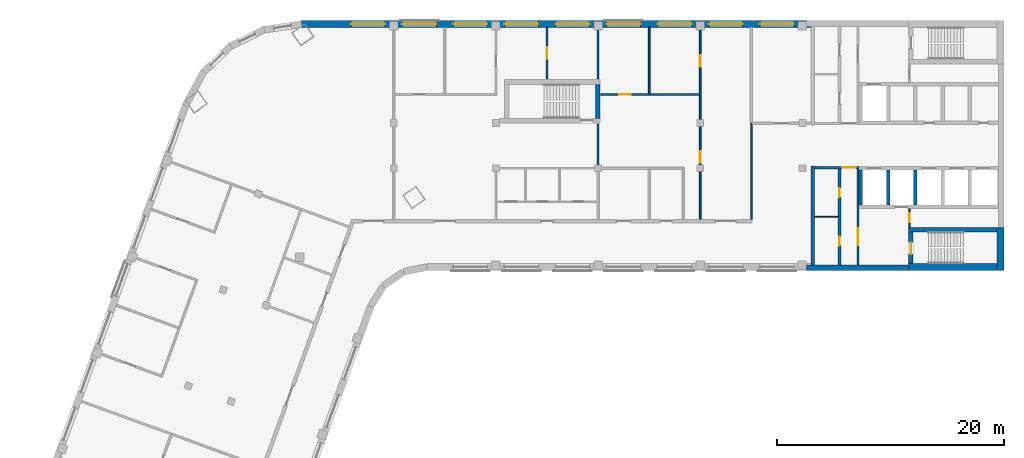
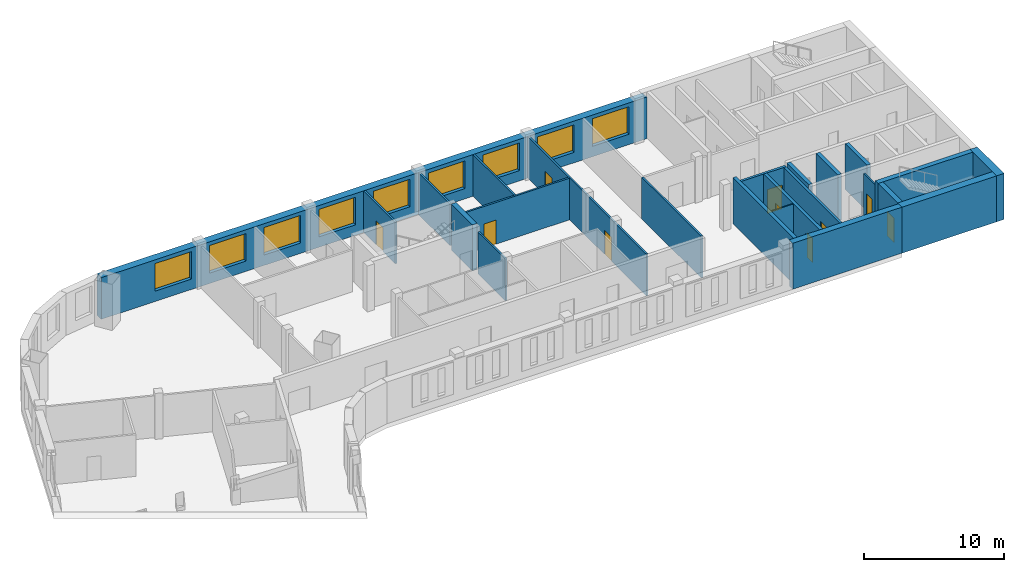
# One storey, part 5 of 8: 23 walls, 10 doors, 9 windows, 19 openings.
"""IFC4 building model written with IfcOpenShell, lengths in metres."""

from ifc_helpers import new_model, si_unit, direction, frame, frame_2d, origin, place, context, subcontext, project, spatial, rectangle, extrude, material, layer, layer_set, type_object, element, fill, save


model = new_model("IFC4")

# Units and contexts
model_context = context("Model", 3, precision=1e-05, world=origin(), true_north=direction((0.0, 1.0)))
body_context = subcontext(model_context, "Body", "Model", "MODEL_VIEW")
ifc_project = project(units=[si_unit("LENGTHUNIT", "METRE"), si_unit("AREAUNIT", "SQUARE_METRE"), si_unit("VOLUMEUNIT", "CUBIC_METRE"), si_unit("PLANEANGLEUNIT", "RADIAN"), si_unit("MASSUNIT", "GRAM", prefix="KILO")], contexts=[model_context])

# Site, building, storey
site_placement = place(None, origin())
site = spatial("IfcSite", under=ifc_project, at=site_placement, CompositionType="ELEMENT")
building_placement = place(site_placement, origin())
building = spatial("IfcBuilding", under=site, at=building_placement, Name="Skarvind Civic Tower", CompositionType="ELEMENT")
storey_placement = place(building_placement, frame((0.0, 0.0, 224.0)))
storey = spatial("IfcBuildingStorey", under=building, at=storey_placement, Name="L53", CompositionType="ELEMENT", Elevation=224.0)

# Wall, opening, door
ifc_material_1 = material(Name="Fire-rated masonry partition", Category="masonry")
ifc_layer_1 = layer(ifc_material_1, 0.199951171875)
ifc_layer_set_1 = layer_set([ifc_layer_1], Name="Core enclosure wall 200")
wall_type_1 = type_object("IfcWallType", Name="Core enclosure wall 200", PredefinedType="PARTITIONING", material=ifc_layer_set_1)
wall_1_placement = place(storey_placement, frame((95.25, 126.050048828125, 0.0), z_axis=(0.0, 0.0, 1.0), x_axis=(-1.0, 0.0, 0.0)))
wall_1 = element("IfcWall", 1, at=wall_1_placement, inside=storey, type_object=wall_type_1, Name="Core wall C1", PredefinedType="PARTITIONING", context=body_context, shape_type="SweptSolid", body=[
    extrude(rectangle(XDim=3.949951171875, YDim=0.199951171875, at=frame_2d((1.97509765625, 0.0))), origin(), (0.0, 0.0, 1.0), 3.625),
])
opening_1_placement = place(wall_1_placement, frame((0.300048828125, 0.0, 0.0)))
opening_1 = element("IfcOpeningElement", 2, at=opening_1_placement, cuts=wall_1, Name="Opening D-L53-C1-07", PredefinedType="OPENING", context=body_context, shape_type="SweptSolid", body=[
    extrude(rectangle(XDim=1.199951171875, YDim=2.10009765625, at=frame_2d((0.60009765625, 1.050048828125))), frame((0.0, 0.10986328125, 0.0), z_axis=(0.0, -1.0, 0.0), x_axis=(1.0, 0.0, 0.0)), (0.0, 0.0, 1.0), 0.219970703125),
])
ifc_material_2 = material(Name="Fire-rated steel door", Category="steel")
door_type_1 = type_object("IfcDoorType", Name="Core lobby door 1200", OperationType="NOTDEFINED", PredefinedType="DOOR", material=ifc_material_2)
door_1_placement = place(opening_1_placement, origin())
door_1 = element("IfcDoor", 3, at=door_1_placement, inside=storey, type_object=door_type_1, Name="Fire door", OperationType="DOUBLE_DOOR_SINGLE_SWING", OverallHeight=2.10009765625, OverallWidth=1.199951171875, PredefinedType="DOOR", context=body_context, shape_type="SweptSolid", body=[
    extrude(rectangle(XDim=1.199951171875, YDim=2.10009765625, at=frame_2d((0.60009765625, 1.050048828125))), frame((0.0, 0.02490234375, 0.0), z_axis=(0.0, -1.0, 0.0), x_axis=(1.0, 0.0, 0.0)), (0.0, 0.0, 1.0), 0.050048828125),
])
fill(opening_1, door_1)

wall_2_placement = place(storey_placement, frame((95.14990234375, 117.5, 0.0), z_axis=(0.0, 0.0, 1.0), x_axis=(0.0, 1.0, 0.0)))
wall_2 = element("IfcWall", 4, at=wall_2_placement, inside=storey, type_object=wall_type_1, Name="Core wall C1", PredefinedType="PARTITIONING", context=body_context, shape_type="SweptSolid", body=[
    extrude(rectangle(XDim=8.449951171875, YDim=0.199951171875, at=frame_2d((4.22509765625, 0.0))), origin(), (0.0, 0.0, 1.0), 3.625),
])
opening_2_placement = place(wall_2_placement, frame((1.72509765625, 0.0, 0.0)))
opening_2 = element("IfcOpeningElement", 5, at=opening_2_placement, cuts=wall_2, Name="Opening D-L53-C1-08", PredefinedType="OPENING", context=body_context, shape_type="SweptSolid", body=[
    extrude(rectangle(XDim=1.5, YDim=2.10009765625, at=frame_2d((0.75, 1.050048828125))), frame((0.0, 0.10986328125, 0.0), z_axis=(0.0, -1.0, 0.0), x_axis=(1.0, 0.0, 0.0)), (0.0, 0.0, 1.0), 0.219970703125),
])
door_type_2 = type_object("IfcDoorType", Name="Fire door 1500", OperationType="NOTDEFINED", PredefinedType="DOOR", material=ifc_material_2)
door_2_placement = place(opening_2_placement, origin())
door_2 = element("IfcDoor", 6, at=door_2_placement, inside=storey, type_object=door_type_2, Name="Fire door", OperationType="DOUBLE_DOOR_SINGLE_SWING", OverallHeight=2.10009765625, OverallWidth=1.5, PredefinedType="DOOR", context=body_context, shape_type="SweptSolid", body=[
    extrude(rectangle(XDim=1.5, YDim=2.10009765625, at=frame_2d((0.75, 1.050048828125))), frame((0.0, 0.02490234375, 0.0), z_axis=(0.0, -1.0, 0.0), x_axis=(1.0, 0.0, 0.0)), (0.0, 0.0, 1.0), 0.050048828125),
])
fill(opening_2, door_2)

# Walls
ifc_material_3 = material(Name="Fire-rated plasterboard partition")
ifc_layer_2 = layer(ifc_material_3, 0.10009765625)
ifc_layer_set_2 = layer_set([ifc_layer_2], Name="Core partition wall 100")
wall_type_2 = type_object("IfcWallType", Name="Core partition wall 100", PredefinedType="PARTITIONING", material=ifc_layer_set_2)
wall_3_placement = place(storey_placement, frame((93.39990234375, 121.719970703125, 0.0), z_axis=(0.0, 0.0, 1.0), x_axis=(-1.0, 0.0, 0.0)))
element("IfcWall", 7, at=wall_3_placement, inside=storey, type_object=wall_type_2, Name="Core wall C1", PredefinedType="PARTITIONING", context=body_context, shape_type="SweptSolid", body=[
    extrude(rectangle(XDim=2.099853515625, YDim=0.10009765625, at=frame_2d((1.0498046875, 0.0))), origin(), (0.0, 0.0, 1.0), 3.625),
])
ifc_material_4 = material(Name="Concrete C60", Category="concrete")
ifc_layer_3 = layer(ifc_material_4, 0.300048828125)
ifc_layer_set_3 = layer_set([ifc_layer_3], Name="Core wall 300 C60")
wall_type_3 = type_object("IfcWallType", Name="Core wall 300 C60", PredefinedType="SHEAR", material=ifc_layer_set_3)
for number, where, z_axis, x_axis, name in (
    (8, (100.199951171875, 125.85009765625, 0.0), (0.0, 0.0, 1.0), (0.0, -1.0, 0.0), "Core wall C1 north lift row division 3 L53"),
    (9, (97.800048828125, 125.85009765625, 0.0), (0.0, 0.0, 1.0), (0.0, -1.0, 0.0), "Core wall C1 north lift row division 4 L53"),
    (10, (95.39990234375, 125.85009765625, 0.0), (0.0, 0.0, 1.0), (0.0, -1.0, 0.0), "Core wall C1 north lift row division 5 L53"),
):
    element("IfcWall", number, at=place(storey_placement, frame(where, z_axis=z_axis, x_axis=x_axis)), inside=storey, type_object=wall_type_3, Name=name, PredefinedType="SHEAR", context=body_context, shape_type="SweptSolid", body=[
        extrude(rectangle(XDim=3.10009765625, YDim=0.300048828125, at=frame_2d((1.550048828125, 0.0))), origin(), (0.0, 0.0, 1.0), 4.0),
    ])
wall_4_placement = place(storey_placement, frame((91.14990234375, 126.199951171875, 0.0), z_axis=(0.0, 0.0, 1.0), x_axis=(0.0, -1.0, 0.0)))
element("IfcWall", 11, at=wall_4_placement, inside=storey, type_object=wall_type_3, Name="Core wall C1 north inner face L53", PredefinedType="SHEAR", context=body_context, shape_type="SweptSolid", body=[
    extrude(rectangle(XDim=8.699951171875, YDim=0.300048828125, at=frame_2d((4.35009765625, 0.0))), origin(), (0.0, 0.0, 1.0), 4.0),
])
ifc_layer_4 = layer(ifc_material_4, 0.39990234375)
ifc_layer_set_4 = layer_set([ifc_layer_4], Name="Core wall 400 C60")
wall_type_4 = type_object("IfcWallType", Name="Core wall 400 C60", PredefinedType="SHEAR", material=ifc_layer_set_4)
wall_5_placement = place(storey_placement, frame((107.39990234375, 120.60009765625, 0.0), z_axis=(0.0, 0.0, 1.0), x_axis=(-1.0, 0.0, 0.0)))
element("IfcWall", 12, at=wall_5_placement, inside=storey, type_object=wall_type_4, Name="Core wall C1 north stair inner L53", PredefinedType="SHEAR", context=body_context, shape_type="SweptSolid", body=[
    extrude(rectangle(XDim=7.7998046875, YDim=0.39990234375, at=frame_2d((3.89990234375, 0.0))), origin(), (0.0, 0.0, 1.0), 4.0),
])

# Wall, opening, door
wall_6_placement = place(storey_placement, frame((99.800048828125, 120.39990234375, 0.0), z_axis=(0.0, 0.0, 1.0), x_axis=(0.0, -1.0, 0.0)))
wall_6 = element("IfcWall", 13, at=wall_6_placement, inside=storey, type_object=wall_type_4, Name="Core wall C1 north stair end L53", PredefinedType="SHEAR", context=body_context, shape_type="SweptSolid", body=[
    extrude(rectangle(XDim=2.7998046875, YDim=0.39990234375, at=frame_2d((1.39990234375, 0.0))), origin(), (0.0, 0.0, 1.0), 4.0),
])
opening_3_placement = place(wall_6_placement, frame((0.949951171875, 0.0, 0.0)))
opening_3 = element("IfcOpeningElement", 14, at=opening_3_placement, cuts=wall_6, Name="Opening D-L53-C1-09", PredefinedType="OPENING", context=body_context, shape_type="SweptSolid", body=[
    extrude(rectangle(XDim=1.0, YDim=2.10009765625, at=frame_2d((0.5, 1.050048828125))), frame((0.0, 0.2099609375, 0.0), z_axis=(0.0, -1.0, 0.0), x_axis=(1.0, 0.0, 0.0)), (0.0, 0.0, 1.0), 0.419921875),
])
door_type_3 = type_object("IfcDoorType", Name="Fire door 1000", OperationType="NOTDEFINED", PredefinedType="DOOR", material=ifc_material_2)
door_3_placement = place(opening_3_placement, origin())
door_3 = element("IfcDoor", 15, at=door_3_placement, inside=storey, type_object=door_type_3, Name="Fire door", OperationType="SINGLE_SWING_LEFT", OverallHeight=2.10009765625, OverallWidth=1.0, PredefinedType="DOOR", context=body_context, shape_type="SweptSolid", body=[
    extrude(rectangle(XDim=1.0, YDim=2.10009765625, at=frame_2d((0.5, 1.050048828125))), frame((0.0, 0.02490234375, 0.0), z_axis=(0.0, -1.0, 0.0), x_axis=(1.0, 0.0, 0.0)), (0.0, 0.0, 1.0), 0.050048828125),
])
fill(opening_3, door_3)

# Walls
wall_7_placement = place(storey_placement, frame((72.199951171875, 130.39990234375, 0.0), z_axis=(0.0, 0.0, 1.0), x_axis=(0.0, 1.0, 0.0)))
element("IfcWall", 16, at=wall_7_placement, inside=storey, type_object=wall_type_4, Name="Core wall CM end L53", PredefinedType="SHEAR", context=body_context, shape_type="SweptSolid", body=[
    extrude(rectangle(XDim=3.0, YDim=0.39990234375, at=frame_2d((1.5, 0.0))), origin(), (0.0, 0.0, 1.0), 4.0),
])
ifc_layer_5 = layer(ifc_material_4, 0.5)
ifc_layer_set_5 = layer_set([ifc_layer_5], Name="Core wall 500 C60")
wall_type_5 = type_object("IfcWallType", Name="Core wall 500 C60", PredefinedType="SHEAR", material=ifc_layer_set_5)
wall_8_placement = place(storey_placement, frame((99.60009765625, 117.25, 0.0), z_axis=(0.0, 0.0, 1.0), x_axis=(-1.0, 0.0, 0.0)))
element("IfcWall", 17, at=wall_8_placement, inside=storey, type_object=wall_type_5, Name="Core wall C1 north side L53", PredefinedType="SHEAR", context=body_context, shape_type="SweptSolid", body=[
    extrude(rectangle(XDim=8.97509765625, YDim=0.5, at=frame_2d((4.487548828125, 0.0))), origin(), (0.0, 0.0, 1.0), 4.0),
])
ifc_layer_6 = layer(ifc_material_4, 0.60009765625)
ifc_layer_set_6 = layer_set([ifc_layer_6], Name="Core wall 600 C60")
wall_type_6 = type_object("IfcWallType", Name="Core wall 600 C60", PredefinedType="SHEAR", material=ifc_layer_set_6)
wall_9_placement = place(storey_placement, frame((107.699951171875, 120.800048828125, 0.0), z_axis=(0.0, 0.0, 1.0), x_axis=(0.0, -1.0, 0.0)))
element("IfcWall", 18, at=wall_9_placement, inside=storey, type_object=wall_type_6, Name="Core wall C1 tip at the north stair L53", PredefinedType="SHEAR", context=body_context, shape_type="SweptSolid", body=[
    extrude(rectangle(XDim=3.800048828125, YDim=0.60009765625, at=frame_2d((1.89990234375, 0.0))), origin(), (0.0, 0.0, 1.0), 4.0),
])
wall_10_placement = place(storey_placement, frame((107.39990234375, 117.300048828125, 0.0), z_axis=(0.0, 0.0, 1.0), x_axis=(-1.0, 0.0, 0.0)))
element("IfcWall", 19, at=wall_10_placement, inside=storey, type_object=wall_type_6, Name="Core wall C1 north side at the stair L53", PredefinedType="SHEAR", context=body_context, shape_type="SweptSolid", body=[
    extrude(rectangle(XDim=7.7998046875, YDim=0.60009765625, at=frame_2d((3.89990234375, 0.0))), origin(), (0.0, 0.0, 1.0), 4.0),
])

# Wall, opening, door
ifc_material_5 = material(Name="Plasterboard partition on steel studs", Category="steel")
ifc_layer_7 = layer(ifc_material_5, 0.14990234375)
ifc_layer_set_7 = layer_set([ifc_layer_7], Name="PARTITION 150")
wall_type_7 = type_object("IfcWallType", Name="PARTITION 150", PredefinedType="PARTITIONING", material=ifc_layer_set_7)
wall_11_placement = place(storey_placement, frame((67.75, 133.89990234375, 0.0), z_axis=(0.0, 0.0, 1.0), x_axis=(0.0, 1.0, 0.0)))
wall_11 = element("IfcWall", 20, at=wall_11_placement, inside=storey, type_object=wall_type_7, Name="Partition 53.025", PredefinedType="PARTITIONING", context=body_context, shape_type="SweptSolid", body=[
    extrude(rectangle(XDim=4.5, YDim=0.14990234375, at=frame_2d((2.25, 0.0))), origin(), (0.0, 0.0, 1.0), 3.625),
])
opening_4_placement = place(wall_11_placement, frame((1.75, 0.0, 0.0)))
opening_4 = element("IfcOpeningElement", 21, at=opening_4_placement, cuts=wall_11, Name="Opening L53-D011", PredefinedType="OPENING", context=body_context, shape_type="SweptSolid", body=[
    extrude(rectangle(XDim=1.0, YDim=2.10009765625, at=frame_2d((0.5, 1.050048828125))), frame((0.0, 0.0849609375, 0.0), z_axis=(0.0, -1.0, 0.0), x_axis=(1.0, 0.0, 0.0)), (0.0, 0.0, 1.0), 0.169921875),
])
ifc_material_6 = material(Name="Timber door leaf", Category="wood")
door_type_4 = type_object("IfcDoorType", Name="D1 1000x2100", OperationType="NOTDEFINED", PredefinedType="DOOR", material=ifc_material_6)
door_4_placement = place(opening_4_placement, origin())
door_4 = element("IfcDoor", 22, at=door_4_placement, inside=storey, type_object=door_type_4, Name="Door L53-D011", OperationType="SINGLE_SWING_LEFT", OverallHeight=2.10009765625, OverallWidth=1.0, PredefinedType="DOOR", context=body_context, shape_type="SweptSolid", body=[
    extrude(rectangle(XDim=1.0, YDim=2.10009765625, at=frame_2d((0.5, 1.050048828125))), frame((0.0, 0.02490234375, 0.0), z_axis=(0.0, -1.0, 0.0), x_axis=(1.0, 0.0, 0.0)), (0.0, 0.0, 1.0), 0.050048828125),
])
fill(opening_4, door_4)

# Walls
wall_12_placement = place(storey_placement, frame((72.25, 126.0, 0.0), z_axis=(0.0, 0.0, 1.0), x_axis=(0.0, 1.0, 0.0)))
element("IfcWall", 23, at=wall_12_placement, inside=storey, type_object=wall_type_7, Name="Partition 53.028", PredefinedType="PARTITIONING", context=body_context, shape_type="SweptSolid", body=[
    extrude(rectangle(XDim=3.89990234375, YDim=0.14990234375, at=frame_2d((1.949951171875, 0.0))), origin(), (0.0, 0.0, 1.0), 3.625),
])
wall_13_placement = place(storey_placement, frame((72.25, 133.89990234375, 0.0), z_axis=(0.0, 0.0, 1.0), x_axis=(0.0, 1.0, 0.0)))
element("IfcWall", 24, at=wall_13_placement, inside=storey, type_object=wall_type_7, Name="Partition 53.030", PredefinedType="PARTITIONING", context=body_context, shape_type="SweptSolid", body=[
    extrude(rectangle(XDim=4.5, YDim=0.14990234375, at=frame_2d((2.25, 0.0))), origin(), (0.0, 0.0, 1.0), 3.625),
])

# Wall, opening, door
wall_14_placement = place(storey_placement, frame((81.175048828125, 132.5, 0.0), z_axis=(0.0, 0.0, 1.0), x_axis=(-1.0, 0.0, 0.0)))
wall_14 = element("IfcWall", 25, at=wall_14_placement, inside=storey, type_object=wall_type_7, Name="Partition 53.031", PredefinedType="PARTITIONING", context=body_context, shape_type="SweptSolid", body=[
    extrude(rectangle(XDim=8.675048828125, YDim=0.14990234375, at=frame_2d((4.33740234375, 0.0))), origin(), (0.0, 0.0, 1.0), 3.625),
])
opening_5_placement = place(wall_14_placement, frame((6.050048828125, 0.0, 0.0)))
opening_5 = element("IfcOpeningElement", 26, at=opening_5_placement, cuts=wall_14, Name="Opening L53-D005", PredefinedType="OPENING", context=body_context, shape_type="SweptSolid", body=[
    extrude(rectangle(XDim=1.0, YDim=2.10009765625, at=frame_2d((0.5, 1.050048828125))), frame((0.0, 0.0849609375, 0.0), z_axis=(0.0, -1.0, 0.0), x_axis=(1.0, 0.0, 0.0)), (0.0, 0.0, 1.0), 0.169921875),
])
door_5_placement = place(opening_5_placement, origin())
door_5 = element("IfcDoor", 27, at=door_5_placement, inside=storey, type_object=door_type_4, Name="Door L53-D005", OperationType="SINGLE_SWING_RIGHT", OverallHeight=2.10009765625, OverallWidth=1.0, PredefinedType="DOOR", context=body_context, shape_type="SweptSolid", body=[
    extrude(rectangle(XDim=1.0, YDim=2.10009765625, at=frame_2d((0.5, 1.050048828125))), frame((0.0, 0.02490234375, 0.0), z_axis=(0.0, -1.0, 0.0), x_axis=(1.0, 0.0, 0.0)), (0.0, 0.0, 1.0), 0.050048828125),
])
fill(opening_5, door_5)

# Wall
wall_15_placement = place(storey_placement, frame((76.75, 132.574951171875, 0.0), z_axis=(0.0, 0.0, 1.0), x_axis=(0.0, 1.0, 0.0)))
element("IfcWall", 28, at=wall_15_placement, inside=storey, type_object=wall_type_7, Name="Partition 53.033", PredefinedType="PARTITIONING", context=body_context, shape_type="SweptSolid", body=[
    extrude(rectangle(XDim=5.824951171875, YDim=0.14990234375, at=frame_2d((2.91259765625, 0.0))), origin(), (0.0, 0.0, 1.0), 3.625),
])

# Wall, openings, doors
wall_16_placement = place(storey_placement, frame((81.25, 138.39990234375, 0.0), z_axis=(0.0, 0.0, 1.0), x_axis=(0.0, -1.0, 0.0)))
wall_16 = element("IfcWall", 29, at=wall_16_placement, inside=storey, type_object=wall_type_7, Name="Partition 53.036", PredefinedType="PARTITIONING", context=body_context, shape_type="SweptSolid", body=[
    extrude(rectangle(XDim=16.89990234375, YDim=0.14990234375, at=frame_2d((8.449951171875, 0.0))), origin(), (0.0, 0.0, 1.0), 3.625),
])
opening_6_placement = place(wall_16_placement, frame((2.449951171875, 0.0, 0.0)))
opening_6 = element("IfcOpeningElement", 30, at=opening_6_placement, cuts=wall_16, Name="Opening L53-D004", PredefinedType="OPENING", context=body_context, shape_type="SweptSolid", body=[
    extrude(rectangle(XDim=1.0, YDim=2.10009765625, at=frame_2d((0.5, 1.050048828125))), frame((0.0, 0.0849609375, 0.0), z_axis=(0.0, -1.0, 0.0), x_axis=(1.0, 0.0, 0.0)), (0.0, 0.0, 1.0), 0.169921875),
])
opening_7_placement = place(wall_16_placement, frame((10.909912109375, 0.0, 0.0)))
opening_7 = element("IfcOpeningElement", 31, at=opening_7_placement, cuts=wall_16, Name="Opening L53-D023", PredefinedType="OPENING", context=body_context, shape_type="SweptSolid", body=[
    extrude(rectangle(XDim=1.0, YDim=2.10009765625, at=frame_2d((0.5, 1.050048828125))), frame((0.0, 0.0849609375, 0.0), z_axis=(0.0, -1.0, 0.0), x_axis=(1.0, 0.0, 0.0)), (0.0, 0.0, 1.0), 0.169921875),
])
door_6_placement = place(opening_6_placement, origin())
door_6 = element("IfcDoor", 32, at=door_6_placement, inside=storey, type_object=door_type_4, Name="Door L53-D004", OperationType="SINGLE_SWING_LEFT", OverallHeight=2.10009765625, OverallWidth=1.0, PredefinedType="DOOR", context=body_context, shape_type="SweptSolid", body=[
    extrude(rectangle(XDim=1.0, YDim=2.10009765625, at=frame_2d((0.5, 1.050048828125))), frame((0.0, 0.02490234375, 0.0), z_axis=(0.0, -1.0, 0.0), x_axis=(1.0, 0.0, 0.0)), (0.0, 0.0, 1.0), 0.050048828125),
])
fill(opening_6, door_6)
door_7_placement = place(opening_7_placement, origin())
door_7 = element("IfcDoor", 33, at=door_7_placement, inside=storey, type_object=door_type_4, Name="Door L53-D023", OperationType="SINGLE_SWING_RIGHT", OverallHeight=2.10009765625, OverallWidth=1.0, PredefinedType="DOOR", context=body_context, shape_type="SweptSolid", body=[
    extrude(rectangle(XDim=1.0, YDim=2.10009765625, at=frame_2d((0.5, 1.050048828125))), frame((0.0, 0.02490234375, 0.0), z_axis=(0.0, -1.0, 0.0), x_axis=(1.0, 0.0, 0.0)), (0.0, 0.0, 1.0), 0.050048828125),
])
fill(opening_7, door_7)

# Wall
wall_17_placement = place(storey_placement, frame((85.75, 121.5, 0.0), z_axis=(0.0, 0.0, 1.0), x_axis=(0.0, 1.0, 0.0)))
element("IfcWall", 34, at=wall_17_placement, inside=storey, type_object=wall_type_7, Name="Partition 53.037", PredefinedType="PARTITIONING", context=body_context, shape_type="SweptSolid", body=[
    extrude(rectangle(XDim=8.449951171875, YDim=0.14990234375, at=frame_2d((4.22509765625, 0.0))), origin(), (0.0, 0.0, 1.0), 3.625),
])

# Wall, opening, door
ifc_layer_8 = layer(ifc_material_1, 0.125)
ifc_layer_set_8 = layer_set([ifc_layer_8], Name="Riser wall 125")
wall_type_8 = type_object("IfcWallType", Name="Riser wall 125", PredefinedType="PARTITIONING", material=ifc_layer_set_8)
wall_18_placement = place(storey_placement, frame((99.66259765625, 120.800048828125, 0.0), z_axis=(0.0, 0.0, 1.0), x_axis=(0.0, 1.0, 0.0)))
wall_18 = element("IfcWall", 35, at=wall_18_placement, inside=storey, type_object=wall_type_8, Name="Core wall C1", PredefinedType="PARTITIONING", context=body_context, shape_type="SweptSolid", body=[
    extrude(rectangle(XDim=1.64990234375, YDim=0.125, at=frame_2d((0.824951171875, 0.0))), origin(), (0.0, 0.0, 1.0), 3.625),
])
opening_8_placement = place(wall_18_placement, frame((0.425048828125, 0.0, 0.0)))
opening_8 = element("IfcOpeningElement", 36, at=opening_8_placement, cuts=wall_18, Name="Opening D-L53-C1-10", PredefinedType="OPENING", context=body_context, shape_type="SweptSolid", body=[
    extrude(rectangle(XDim=0.800048828125, YDim=2.10009765625, at=frame_2d((0.39990234375, 1.050048828125))), frame((0.0, 0.072509765625, 0.0), z_axis=(0.0, -1.0, 0.0), x_axis=(1.0, 0.0, 0.0)), (0.0, 0.0, 1.0), 0.14501953125),
])
door_type_5 = type_object("IfcDoorType", Name="Core riser door 800", OperationType="NOTDEFINED", PredefinedType="DOOR", material=ifc_material_2)
door_8_placement = place(opening_8_placement, origin())
door_8 = element("IfcDoor", 37, at=door_8_placement, inside=storey, type_object=door_type_5, Name="Riser door", OperationType="SINGLE_SWING_RIGHT", OverallHeight=2.10009765625, OverallWidth=0.800048828125, PredefinedType="DOOR", context=body_context, shape_type="SweptSolid", body=[
    extrude(rectangle(XDim=0.800048828125, YDim=2.10009765625, at=frame_2d((0.39990234375, 1.050048828125))), frame((0.0, 0.02490234375, 0.0), z_axis=(0.0, -1.0, 0.0), x_axis=(1.0, 0.0, 0.0)), (0.0, 0.0, 1.0), 0.050048828125),
])
fill(opening_8, door_8)

# Wall, openings, doors
ifc_layer_9 = layer(ifc_material_1, 0.25)
ifc_layer_set_9 = layer_set([ifc_layer_9], Name="Service block wall 250")
wall_type_9 = type_object("IfcWallType", Name="Service block wall 250", PredefinedType="PARTITIONING", material=ifc_layer_set_9)
wall_19_placement = place(storey_placement, frame((93.52490234375, 117.5, 0.0), z_axis=(0.0, 0.0, 1.0), x_axis=(0.0, 1.0, 0.0)))
wall_19 = element("IfcWall", 38, at=wall_19_placement, inside=storey, type_object=wall_type_9, Name="Core wall C1", PredefinedType="PARTITIONING", context=body_context, shape_type="SweptSolid", body=[
    extrude(rectangle(XDim=8.449951171875, YDim=0.25, at=frame_2d((4.22509765625, 0.0))), origin(), (0.0, 0.0, 1.0), 3.625),
])
opening_9_placement = place(wall_19_placement, frame((5.9599609375, 0.0, 0.0)))
opening_9 = element("IfcOpeningElement", 39, at=opening_9_placement, cuts=wall_19, Name="Opening D-L53-C1-11", PredefinedType="OPENING", context=body_context, shape_type="SweptSolid", body=[
    extrude(rectangle(XDim=0.800048828125, YDim=2.10009765625, at=frame_2d((0.39990234375, 1.050048828125))), frame((0.0, 0.135009765625, 0.0), z_axis=(0.0, -1.0, 0.0), x_axis=(1.0, 0.0, 0.0)), (0.0, 0.0, 1.0), 0.27001953125),
])
opening_10_placement = place(wall_19_placement, frame((1.68505859375, 0.0, 0.0)))
opening_10 = element("IfcOpeningElement", 40, at=opening_10_placement, cuts=wall_19, Name="Opening D-L53-C1-12", PredefinedType="OPENING", context=body_context, shape_type="SweptSolid", body=[
    extrude(rectangle(XDim=0.800048828125, YDim=2.10009765625, at=frame_2d((0.39990234375, 1.050048828125))), frame((0.0, 0.135009765625, 0.0), z_axis=(0.0, -1.0, 0.0), x_axis=(1.0, 0.0, 0.0)), (0.0, 0.0, 1.0), 0.27001953125),
])
door_9_placement = place(opening_9_placement, origin())
door_9 = element("IfcDoor", 41, at=door_9_placement, inside=storey, type_object=door_type_5, Name="Riser door", OperationType="SINGLE_SWING_LEFT", OverallHeight=2.10009765625, OverallWidth=0.800048828125, PredefinedType="DOOR", context=body_context, shape_type="SweptSolid", body=[
    extrude(rectangle(XDim=0.800048828125, YDim=2.10009765625, at=frame_2d((0.39990234375, 1.050048828125))), frame((0.0, 0.02490234375, 0.0), z_axis=(0.0, -1.0, 0.0), x_axis=(1.0, 0.0, 0.0)), (0.0, 0.0, 1.0), 0.050048828125),
])
fill(opening_9, door_9)
door_10_placement = place(opening_10_placement, origin())
door_10 = element("IfcDoor", 42, at=door_10_placement, inside=storey, type_object=door_type_5, Name="Riser door", OperationType="SINGLE_SWING_RIGHT", OverallHeight=2.10009765625, OverallWidth=0.800048828125, PredefinedType="DOOR", context=body_context, shape_type="SweptSolid", body=[
    extrude(rectangle(XDim=0.800048828125, YDim=2.10009765625, at=frame_2d((0.39990234375, 1.050048828125))), frame((0.0, 0.02490234375, 0.0), z_axis=(0.0, -1.0, 0.0), x_axis=(1.0, 0.0, 0.0)), (0.0, 0.0, 1.0), 0.050048828125),
])
fill(opening_10, door_10)

# Wall, openings, windows
ifc_material_7 = material(Name="Limestone masonry cladding on insulated backing", Category="masonry")
ifc_layer_10 = layer(ifc_material_7, 0.60009765625)
ifc_layer_set_10 = layer_set([ifc_layer_10], Name="WX1 STONE FACADE WALL 600")
wall_type_10 = type_object("IfcWallType", Name="WX1 STONE FACADE WALL 600", PredefinedType="SOLIDWALL", material=ifc_layer_set_10)
wall_20_placement = place(storey_placement, frame((46.095458984375, 138.699951171875, 0.0), z_axis=(0.0, 0.0, 1.0), x_axis=(1.0, 0.0, 0.0)))
wall_20 = element("IfcWall", 43, at=wall_20_placement, inside=storey, type_object=wall_type_10, Name="STONE FACADE WALL", PredefinedType="SOLIDWALL", context=body_context, shape_type="SweptSolid", body=[
    extrude(rectangle(XDim=44.884521484375, YDim=0.60009765625, at=frame_2d((22.4423828125, 0.0))), origin(), (0.0, 0.0, 1.0), 3.625),
])
opening_11_placement = place(wall_20_placement, frame((4.404541015625, 0.0, 0.89990234375)))
opening_11 = element("IfcOpeningElement", 44, at=opening_11_placement, cuts=wall_20, Name="Opening WN1", PredefinedType="OPENING", context=body_context, shape_type="SweptSolid", body=[
    extrude(rectangle(XDim=3.0, YDim=2.39990234375, at=frame_2d((1.5, 1.199951171875))), frame((0.0, 0.31005859375, 0.0), z_axis=(0.0, -1.0, 0.0), x_axis=(1.0, 0.0, 0.0)), (0.0, 0.0, 1.0), 0.6201171875),
])
opening_12_placement = place(wall_20_placement, frame((8.904541015625, 0.0, 0.89990234375)))
opening_12 = element("IfcOpeningElement", 45, at=opening_12_placement, cuts=wall_20, Name="Opening WN1", PredefinedType="OPENING", context=body_context, shape_type="SweptSolid", body=[
    extrude(rectangle(XDim=3.0, YDim=2.39990234375, at=frame_2d((1.5, 1.199951171875))), frame((0.0, 0.31005859375, 0.0), z_axis=(0.0, -1.0, 0.0), x_axis=(1.0, 0.0, 0.0)), (0.0, 0.0, 1.0), 0.6201171875),
])
opening_13_placement = place(wall_20_placement, frame((13.404541015625, 0.0, 0.89990234375)))
opening_13 = element("IfcOpeningElement", 46, at=opening_13_placement, cuts=wall_20, Name="Opening WN1", PredefinedType="OPENING", context=body_context, shape_type="SweptSolid", body=[
    extrude(rectangle(XDim=3.0, YDim=2.39990234375, at=frame_2d((1.5, 1.199951171875))), frame((0.0, 0.31005859375, 0.0), z_axis=(0.0, -1.0, 0.0), x_axis=(1.0, 0.0, 0.0)), (0.0, 0.0, 1.0), 0.6201171875),
])
opening_14_placement = place(wall_20_placement, frame((17.904541015625, 0.0, 0.89990234375)))
opening_14 = element("IfcOpeningElement", 47, at=opening_14_placement, cuts=wall_20, Name="Opening WN1", PredefinedType="OPENING", context=body_context, shape_type="SweptSolid", body=[
    extrude(rectangle(XDim=3.0, YDim=2.39990234375, at=frame_2d((1.5, 1.199951171875))), frame((0.0, 0.31005859375, 0.0), z_axis=(0.0, -1.0, 0.0), x_axis=(1.0, 0.0, 0.0)), (0.0, 0.0, 1.0), 0.6201171875),
])
opening_15_placement = place(wall_20_placement, frame((22.404541015625, 0.0, 0.89990234375)))
opening_15 = element("IfcOpeningElement", 48, at=opening_15_placement, cuts=wall_20, Name="Opening WN1", PredefinedType="OPENING", context=body_context, shape_type="SweptSolid", body=[
    extrude(rectangle(XDim=3.0, YDim=2.39990234375, at=frame_2d((1.5, 1.199951171875))), frame((0.0, 0.31005859375, 0.0), z_axis=(0.0, -1.0, 0.0), x_axis=(1.0, 0.0, 0.0)), (0.0, 0.0, 1.0), 0.6201171875),
])
opening_16_placement = place(wall_20_placement, frame((26.904541015625, 0.0, 0.89990234375)))
opening_16 = element("IfcOpeningElement", 49, at=opening_16_placement, cuts=wall_20, Name="Opening WN1", PredefinedType="OPENING", context=body_context, shape_type="SweptSolid", body=[
    extrude(rectangle(XDim=3.0, YDim=2.39990234375, at=frame_2d((1.5, 1.199951171875))), frame((0.0, 0.31005859375, 0.0), z_axis=(0.0, -1.0, 0.0), x_axis=(1.0, 0.0, 0.0)), (0.0, 0.0, 1.0), 0.6201171875),
])
opening_17_placement = place(wall_20_placement, frame((31.404541015625, 0.0, 0.89990234375)))
opening_17 = element("IfcOpeningElement", 50, at=opening_17_placement, cuts=wall_20, Name="Opening WN1", PredefinedType="OPENING", context=body_context, shape_type="SweptSolid", body=[
    extrude(rectangle(XDim=3.0, YDim=2.39990234375, at=frame_2d((1.5, 1.199951171875))), frame((0.0, 0.31005859375, 0.0), z_axis=(0.0, -1.0, 0.0), x_axis=(1.0, 0.0, 0.0)), (0.0, 0.0, 1.0), 0.6201171875),
])
opening_18_placement = place(wall_20_placement, frame((35.904541015625, 0.0, 0.89990234375)))
opening_18 = element("IfcOpeningElement", 51, at=opening_18_placement, cuts=wall_20, Name="Opening WN1", PredefinedType="OPENING", context=body_context, shape_type="SweptSolid", body=[
    extrude(rectangle(XDim=3.0, YDim=2.39990234375, at=frame_2d((1.5, 1.199951171875))), frame((0.0, 0.31005859375, 0.0), z_axis=(0.0, -1.0, 0.0), x_axis=(1.0, 0.0, 0.0)), (0.0, 0.0, 1.0), 0.6201171875),
])
opening_19_placement = place(wall_20_placement, frame((40.404541015625, 0.0, 0.89990234375)))
opening_19 = element("IfcOpeningElement", 52, at=opening_19_placement, cuts=wall_20, Name="Opening WN1", PredefinedType="OPENING", context=body_context, shape_type="SweptSolid", body=[
    extrude(rectangle(XDim=3.0, YDim=2.39990234375, at=frame_2d((1.5, 1.199951171875))), frame((0.0, 0.31005859375, 0.0), z_axis=(0.0, -1.0, 0.0), x_axis=(1.0, 0.0, 0.0)), (0.0, 0.0, 1.0), 0.6201171875),
])
ifc_material_8 = material(Name="Timber frame, double glazing, timber-lined reveal", Category="wood")
window_type = type_object("IfcWindowType", Name="WN1 PUNCHED STONE WINDOW 3000 x 2400", PartitioningType="SINGLE_PANEL", PredefinedType="WINDOW", material=ifc_material_8)
window_1_placement = place(opening_11_placement, origin())
window_1 = element("IfcWindow", 53, at=window_1_placement, inside=storey, type_object=window_type, Name="WN1 WINDOW", OverallHeight=2.39990234375, OverallWidth=3.0, PartitioningType="SINGLE_PANEL", PredefinedType="WINDOW", context=body_context, shape_type="SweptSolid", body=[
    extrude(rectangle(XDim=3.0, YDim=2.39990234375, at=frame_2d((1.5, 1.199951171875))), frame((0.0, 0.030029296875, 0.0), z_axis=(0.0, -1.0, 0.0), x_axis=(1.0, 0.0, 0.0)), (0.0, 0.0, 1.0), 0.06005859375),
])
fill(opening_11, window_1)
window_2_placement = place(opening_12_placement, origin())
window_2 = element("IfcWindow", 54, at=window_2_placement, inside=storey, type_object=window_type, Name="WN1 WINDOW", OverallHeight=2.39990234375, OverallWidth=3.0, PartitioningType="SINGLE_PANEL", PredefinedType="WINDOW", context=body_context, shape_type="SweptSolid", body=[
    extrude(rectangle(XDim=3.0, YDim=2.39990234375, at=frame_2d((1.5, 1.199951171875))), frame((0.0, 0.030029296875, 0.0), z_axis=(0.0, -1.0, 0.0), x_axis=(1.0, 0.0, 0.0)), (0.0, 0.0, 1.0), 0.06005859375),
])
fill(opening_12, window_2)
window_3_placement = place(opening_13_placement, origin())
window_3 = element("IfcWindow", 55, at=window_3_placement, inside=storey, type_object=window_type, Name="WN1 WINDOW", OverallHeight=2.39990234375, OverallWidth=3.0, PartitioningType="SINGLE_PANEL", PredefinedType="WINDOW", context=body_context, shape_type="SweptSolid", body=[
    extrude(rectangle(XDim=3.0, YDim=2.39990234375, at=frame_2d((1.5, 1.199951171875))), frame((0.0, 0.030029296875, 0.0), z_axis=(0.0, -1.0, 0.0), x_axis=(1.0, 0.0, 0.0)), (0.0, 0.0, 1.0), 0.06005859375),
])
fill(opening_13, window_3)
window_4_placement = place(opening_14_placement, origin())
window_4 = element("IfcWindow", 56, at=window_4_placement, inside=storey, type_object=window_type, Name="WN1 WINDOW", OverallHeight=2.39990234375, OverallWidth=3.0, PartitioningType="SINGLE_PANEL", PredefinedType="WINDOW", context=body_context, shape_type="SweptSolid", body=[
    extrude(rectangle(XDim=3.0, YDim=2.39990234375, at=frame_2d((1.5, 1.199951171875))), frame((0.0, 0.030029296875, 0.0), z_axis=(0.0, -1.0, 0.0), x_axis=(1.0, 0.0, 0.0)), (0.0, 0.0, 1.0), 0.06005859375),
])
fill(opening_14, window_4)
window_5_placement = place(opening_15_placement, origin())
window_5 = element("IfcWindow", 57, at=window_5_placement, inside=storey, type_object=window_type, Name="WN1 WINDOW", OverallHeight=2.39990234375, OverallWidth=3.0, PartitioningType="SINGLE_PANEL", PredefinedType="WINDOW", context=body_context, shape_type="SweptSolid", body=[
    extrude(rectangle(XDim=3.0, YDim=2.39990234375, at=frame_2d((1.5, 1.199951171875))), frame((0.0, 0.030029296875, 0.0), z_axis=(0.0, -1.0, 0.0), x_axis=(1.0, 0.0, 0.0)), (0.0, 0.0, 1.0), 0.06005859375),
])
fill(opening_15, window_5)
window_6_placement = place(opening_16_placement, origin())
window_6 = element("IfcWindow", 58, at=window_6_placement, inside=storey, type_object=window_type, Name="WN1 WINDOW", OverallHeight=2.39990234375, OverallWidth=3.0, PartitioningType="SINGLE_PANEL", PredefinedType="WINDOW", context=body_context, shape_type="SweptSolid", body=[
    extrude(rectangle(XDim=3.0, YDim=2.39990234375, at=frame_2d((1.5, 1.199951171875))), frame((0.0, 0.030029296875, 0.0), z_axis=(0.0, -1.0, 0.0), x_axis=(1.0, 0.0, 0.0)), (0.0, 0.0, 1.0), 0.06005859375),
])
fill(opening_16, window_6)
window_7_placement = place(opening_17_placement, origin())
window_7 = element("IfcWindow", 59, at=window_7_placement, inside=storey, type_object=window_type, Name="WN1 WINDOW", OverallHeight=2.39990234375, OverallWidth=3.0, PartitioningType="SINGLE_PANEL", PredefinedType="WINDOW", context=body_context, shape_type="SweptSolid", body=[
    extrude(rectangle(XDim=3.0, YDim=2.39990234375, at=frame_2d((1.5, 1.199951171875))), frame((0.0, 0.030029296875, 0.0), z_axis=(0.0, -1.0, 0.0), x_axis=(1.0, 0.0, 0.0)), (0.0, 0.0, 1.0), 0.06005859375),
])
fill(opening_17, window_7)
window_8_placement = place(opening_18_placement, origin())
window_8 = element("IfcWindow", 60, at=window_8_placement, inside=storey, type_object=window_type, Name="WN1 WINDOW", OverallHeight=2.39990234375, OverallWidth=3.0, PartitioningType="SINGLE_PANEL", PredefinedType="WINDOW", context=body_context, shape_type="SweptSolid", body=[
    extrude(rectangle(XDim=3.0, YDim=2.39990234375, at=frame_2d((1.5, 1.199951171875))), frame((0.0, 0.030029296875, 0.0), z_axis=(0.0, -1.0, 0.0), x_axis=(1.0, 0.0, 0.0)), (0.0, 0.0, 1.0), 0.06005859375),
])
fill(opening_18, window_8)
window_9_placement = place(opening_19_placement, origin())
window_9 = element("IfcWindow", 61, at=window_9_placement, inside=storey, type_object=window_type, Name="WN1 WINDOW", OverallHeight=2.39990234375, OverallWidth=3.0, PartitioningType="SINGLE_PANEL", PredefinedType="WINDOW", context=body_context, shape_type="SweptSolid", body=[
    extrude(rectangle(XDim=3.0, YDim=2.39990234375, at=frame_2d((1.5, 1.199951171875))), frame((0.0, 0.030029296875, 0.0), z_axis=(0.0, -1.0, 0.0), x_axis=(1.0, 0.0, 0.0)), (0.0, 0.0, 1.0), 0.06005859375),
])
fill(opening_19, window_9)

save(model, "model.ifc")
